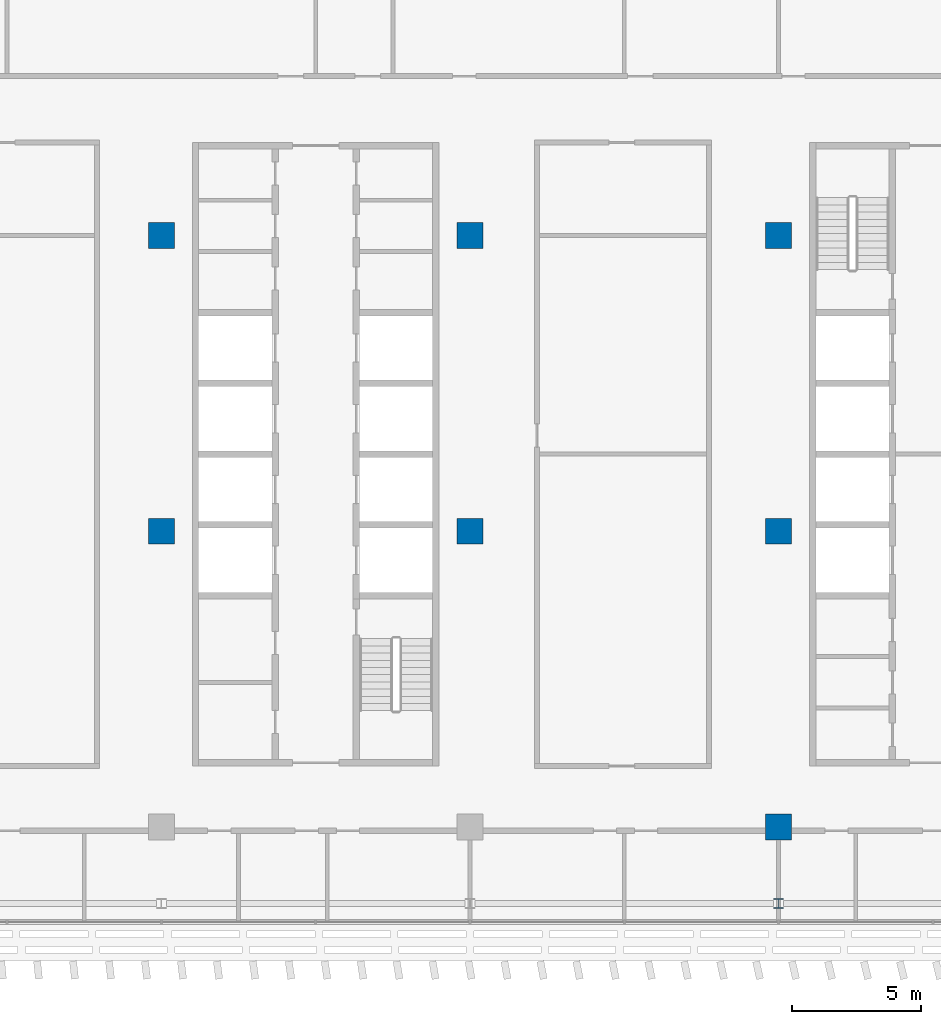
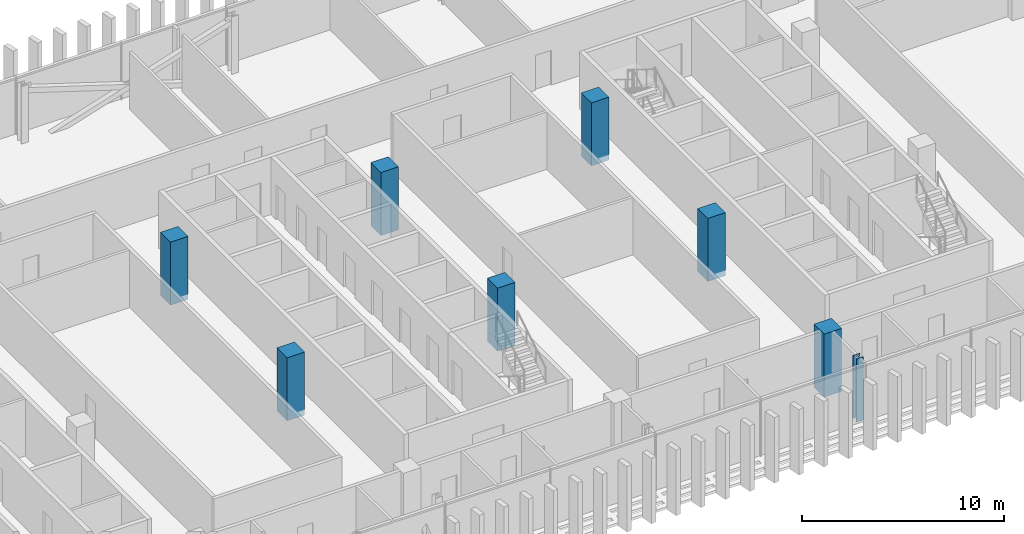
# One storey, part 2 of 34: 8 columns.
"""IFC4 building model written with IfcOpenShell, lengths in metres."""

from ifc_helpers import new_model, si_unit, direction, frame, origin, origin_2d, place, context, subcontext, project, spatial, rectangle, i_section, extrude, material, material_profile, profile_set, type_object, element, save


model = new_model("IFC4")

# Units and contexts
model_context = context("Model", 3, precision=1e-05, world=origin(), true_north=direction((0.0, 1.0)))
body_context = subcontext(model_context, "Body", "Model", "MODEL_VIEW")
ifc_project = project(units=[si_unit("LENGTHUNIT", "METRE"), si_unit("AREAUNIT", "SQUARE_METRE"), si_unit("VOLUMEUNIT", "CUBIC_METRE"), si_unit("PLANEANGLEUNIT", "RADIAN"), si_unit("MASSUNIT", "GRAM", prefix="KILO")], contexts=[model_context])

# Site, building, storey
site_placement = place(None, origin())
site = spatial("IfcSite", under=ifc_project, at=site_placement, CompositionType="ELEMENT")
building_placement = place(site_placement, origin())
building = spatial("IfcBuilding", under=site, at=building_placement, Name="Mahtab Terrace Research Tower", CompositionType="ELEMENT")
storey_placement = place(building_placement, frame((0.0, 0.0, 247.60009765625)))
storey = spatial("IfcBuildingStorey", under=building, at=storey_placement, Name="L60", CompositionType="ELEMENT", Elevation=247.60009765625)

# Columns
ifc_material_1 = material(Name="Concrete C70/85", Category="concrete")
ifc_material_profile_1 = material_profile(ifc_material_1, rectangle(XDim=1.0, YDim=1.0, at=origin_2d()), Name="RC column 1000x1000")
ifc_profile_set_1 = profile_set([ifc_material_profile_1], Name="Concrete C70/85")
column_type_1 = type_object("IfcColumnType", Name="RC column 1000x1000", PredefinedType="COLUMN", material=ifc_profile_set_1)
for number, where, z_axis, x_axis, name in (
    (1, (-6.0, 0.0, -0.340087890625), (0.0, 0.0, 1.0), (1.0, 0.0, 0.0), "Column RC-4B L60"),
    (2, (-6.0, 11.5, -0.340087890625), (0.0, 0.0, 1.0), (1.0, 0.0, 0.0), "Column RC-4C L60"),
    (3, (6.0, 0.0, -0.340087890625), (0.0, 0.0, 1.0), (1.0, 0.0, 0.0), "Column RC-5B L60"),
    (4, (6.0, 11.5, -0.340087890625), (0.0, 0.0, 1.0), (1.0, 0.0, 0.0), "Column RC-5C L60"),
    (5, (18.0, -11.5, -0.340087890625), (0.0, 0.0, 1.0), (1.0, 0.0, 0.0), "Column RC-6A L60"),
    (6, (18.0, 0.0, -0.340087890625), (0.0, 0.0, 1.0), (1.0, 0.0, 0.0), "Column RC-6B L60"),
    (7, (18.0, 11.5, -0.340087890625), (0.0, 0.0, 1.0), (1.0, 0.0, 0.0), "Column RC-6C L60"),
):
    element("IfcColumn", number, at=place(storey_placement, frame(where, z_axis=z_axis, x_axis=x_axis)), inside=storey, type_object=column_type_1, Name=name, PredefinedType="COLUMN", context=body_context, shape_type="SweptSolid", body=[
        extrude(rectangle(XDim=1.0, YDim=1.0, at=origin_2d()), origin(), (0.0, 0.0, 1.0), 3.800048828125),
    ])
ifc_material_2 = material(Name="Steel ASTM A992 Gr 50", Category="steel")
ifc_material_profile_2 = material_profile(ifc_material_2, i_section(OverallWidth=0.398681640625, OverallDepth=0.385986328125, WebThickness=0.02099609375, FlangeThickness=0.033203125, at=origin_2d()), Name="W14X176")
ifc_profile_set_2 = profile_set([ifc_material_profile_2], Name="Steel ASTM A992 Gr 50")
column_type_2 = type_object("IfcColumnType", Name="W14x176 column CS14176", PredefinedType="COLUMN", material=ifc_profile_set_2)
column_placement = place(storey_placement, frame((18.0, -14.472900390625, -0.340087890625), z_axis=(0.0, 0.0, 1.0), x_axis=(1.0, 0.0, 0.0)))
element("IfcColumn", 8, at=column_placement, inside=storey, type_object=column_type_2, Name="Column SC-066 L60", PredefinedType="COLUMN", context=body_context, shape_type="SweptSolid", body=[
    extrude(i_section(OverallWidth=0.398681640625, OverallDepth=0.385986328125, WebThickness=0.02099609375, FlangeThickness=0.033203125, at=origin_2d()), origin(), (0.0, 0.0, 1.0), 3.800048828125),
])

save(model, "model.ifc")
